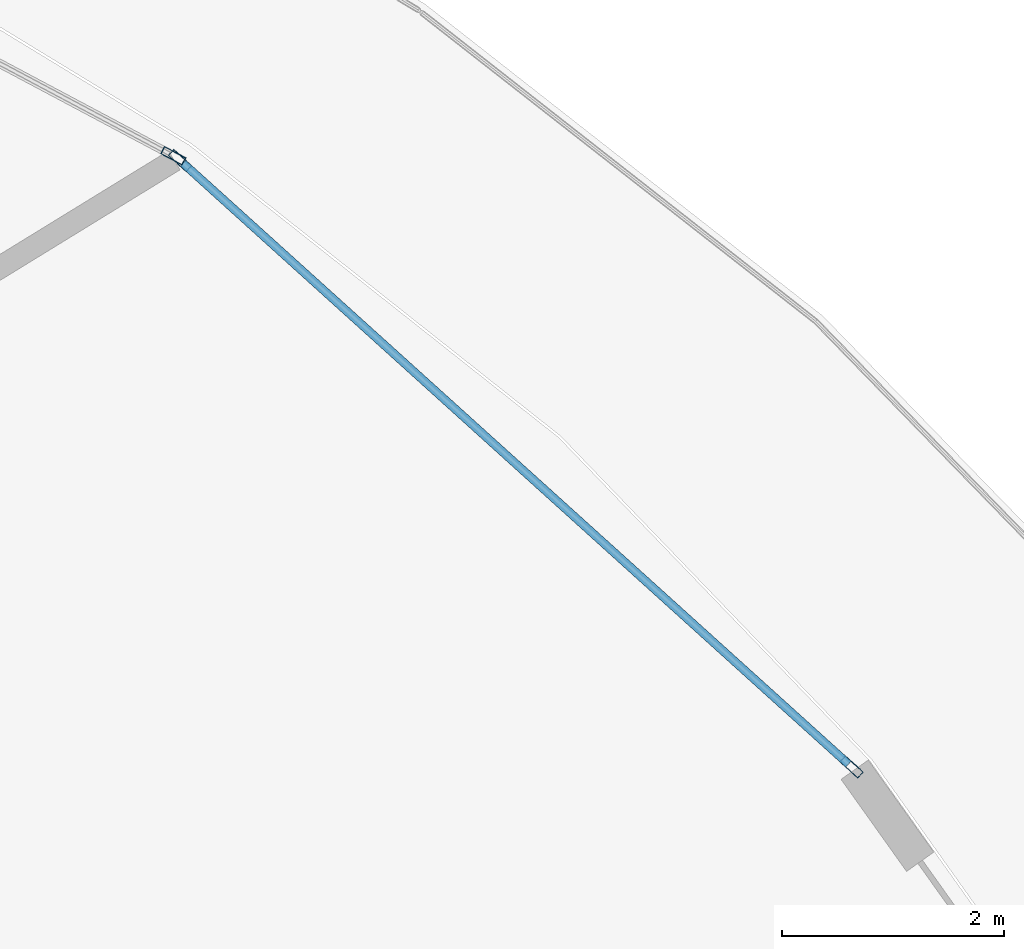
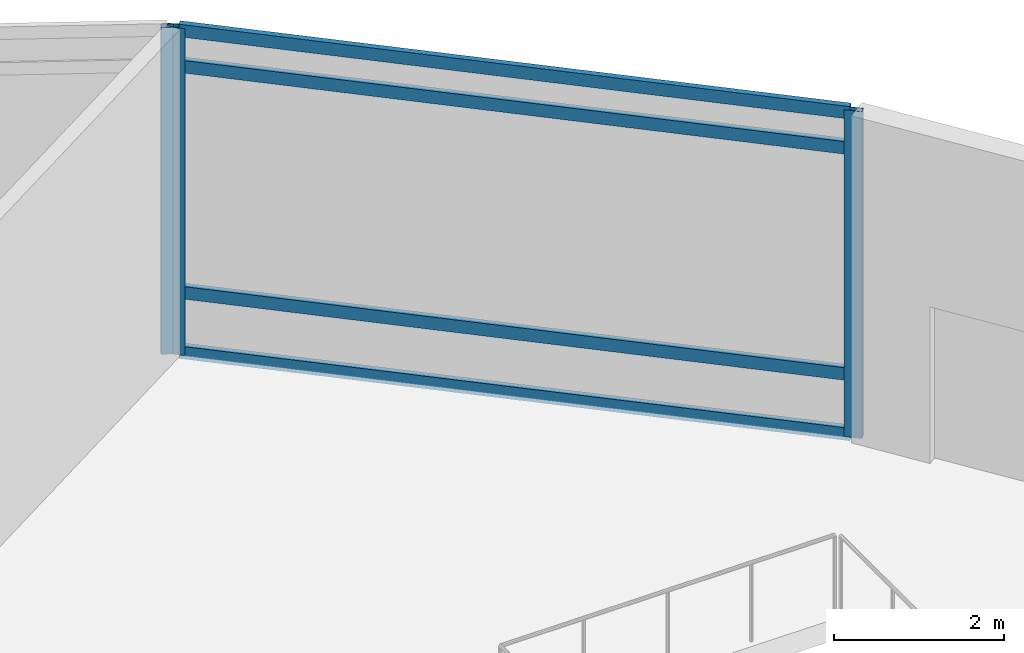
# One storey, part 23 of 37: 7 members, 2 elements without a shape of their own.
"""IFC4 building model written with IfcOpenShell, lengths in metres."""

from ifc_helpers import new_model, si_unit, direction, frame, origin, origin_2d, place, context, subcontext, project, spatial, hollow_rectangle, extrude, material, layer, layer_set, material_profile, profile_set, type_object, element, aggregate, save


model = new_model("IFC4")

# Units and contexts
model_context = context("Model", 3, precision=1e-05, world=origin(), true_north=direction((0.0, 1.0)))
body_context = subcontext(model_context, "Body", "Model", "MODEL_VIEW")
ifc_project = project(units=[si_unit("LENGTHUNIT", "METRE"), si_unit("AREAUNIT", "SQUARE_METRE"), si_unit("VOLUMEUNIT", "CUBIC_METRE"), si_unit("PLANEANGLEUNIT", "RADIAN"), si_unit("MASSUNIT", "GRAM", prefix="KILO")], contexts=[model_context])

# Site, building, storey
site_placement = place(None, origin())
site = spatial("IfcSite", under=ifc_project, at=site_placement, CompositionType="ELEMENT")
building_placement = place(site_placement, origin())
building = spatial("IfcBuilding", under=site, at=building_placement, Name="Nuhasar Tower", CompositionType="ELEMENT")
storey_placement = place(building_placement, frame((0.0, 0.0, 6.0)))
storey = spatial("IfcBuildingStorey", under=building, at=storey_placement, Name="L01", CompositionType="ELEMENT", Elevation=6.0)

# Curtain wall, members
ifc_material = material(Name="Aluminium 6063-T6", Category="aluminium")
ifc_layer = layer(ifc_material, 0.219970703125)
ifc_layer_set = layer_set([ifc_layer], Name="Aluminium 6063-T6")
curtain_wall_type = type_object("IfcCurtainWallType", Name="CW-PODIUM", PredefinedType="NOTDEFINED", material=ifc_layer_set)
curtain_wall_1_placement = place(storey_placement, origin())
curtain_wall_1 = element("IfcCurtainWall", 1, at=curtain_wall_1_placement, inside=storey, type_object=curtain_wall_type, Name="L01 Podium Curtain Wall Bay 03", PredefinedType="NOTDEFINED")
ifc_material_profile_1 = material_profile(ifc_material, hollow_rectangle(XDim=0.074951171875, YDim=0.219970703125, WallThickness=0.0048828125, at=origin_2d()), Name="CWM-1")
ifc_profile_set_1 = profile_set([ifc_material_profile_1], Name="Aluminium 6063-T6")
member_type_1 = type_object("IfcMemberType", Name="CW-MUL-S1", PredefinedType="MULLION", material=ifc_profile_set_1)
member_1_placement = place(storey_placement, frame((72.26220703125, 40.14501953125, 0.0), z_axis=(0.0, 0.0, 1.0), x_axis=(-0.67023230157, -0.742151374001, 0.0)))
member_1 = element("IfcMember", 2, at=member_1_placement, type_object=member_type_1, Name="CW-P1 mullion 1", PredefinedType="MULLION", context=body_context, shape_type="SweptSolid", body=[
    extrude(hollow_rectangle(XDim=0.074951171875, YDim=0.219970703125, WallThickness=0.0048828125, at=origin_2d()), origin(), (0.0, 0.0, 1.0), 4.699951171875),
])
member_2_placement = place(storey_placement, frame((66.208740234375, 45.61181640625, 0.0), z_axis=(0.0, 0.0, 1.0), x_axis=(-0.67023230157, -0.742151374001, 0.0)))
member_2 = element("IfcMember", 3, at=member_2_placement, type_object=member_type_1, Name="CW-P1 mullion 2", PredefinedType="MULLION", context=body_context, shape_type="SweptSolid", body=[
    extrude(hollow_rectangle(XDim=0.074951171875, YDim=0.219970703125, WallThickness=0.0048828125, at=origin_2d()), origin(), (0.0, 0.0, 1.0), 4.699951171875),
])

# Curtain wall, member
curtain_wall_2_placement = place(storey_placement, origin())
curtain_wall_2 = element("IfcCurtainWall", 4, at=curtain_wall_2_placement, inside=storey, type_object=curtain_wall_type, Name="L01 Podium Curtain Wall Bay 04", PredefinedType="NOTDEFINED")
member_3_placement = place(storey_placement, frame((66.14794921875, 45.654541015625, 0.0), z_axis=(0.0, 0.0, 1.0), x_axis=(-0.469563312429, -0.882898802593, 0.0)))
member_3 = element("IfcMember", 5, at=member_3_placement, type_object=member_type_1, Name="CW-P1 mullion 1", PredefinedType="MULLION", context=body_context, shape_type="SweptSolid", body=[
    extrude(hollow_rectangle(XDim=0.074951171875, YDim=0.219970703125, WallThickness=0.0048828125, at=origin_2d()), origin(), (0.0, 0.0, 1.0), 4.699951171875),
])
aggregate(curtain_wall_2, [member_3])

# Member
ifc_material_profile_2 = material_profile(ifc_material, hollow_rectangle(XDim=0.074951171875, YDim=0.179931640625, WallThickness=0.00439453125, at=origin_2d()), Name="CWT-1")
ifc_profile_set_2 = profile_set([ifc_material_profile_2], Name="Aluminium 6063-T6")
member_type_2 = type_object("IfcMemberType", Name="CW-TRN-S1", PredefinedType="USERDEFINED", material=ifc_profile_set_2)
member_4_placement = place(storey_placement, frame((72.234375, 40.170166015625, 0.03759765625), z_axis=(-0.74215596141, 0.670227221876, 0.0), x_axis=(-0.670227221876, -0.74215596141, 0.0)))
member_4 = element("IfcMember", 6, at=member_4_placement, type_object=member_type_2, Name="CW-P1 transom 1.1", ObjectType="TRANSOM", PredefinedType="USERDEFINED", context=body_context, shape_type="SweptSolid", body=[
    extrude(hollow_rectangle(XDim=0.074951171875, YDim=0.179931640625, WallThickness=0.00439453125, at=origin_2d()), origin(), (0.0, 0.0, 1.0), 8.08154296875),
])

member_5_placement = place(storey_placement, frame((72.234375, 40.170166015625, 0.89990234375), z_axis=(-0.74215596141, 0.670227221876, 0.0), x_axis=(-0.670227221876, -0.74215596141, 0.0)))
member_5 = element("IfcMember", 7, at=member_5_placement, type_object=member_type_2, Name="CW-P1 transom 1.2", ObjectType="TRANSOM", PredefinedType="USERDEFINED", context=body_context, shape_type="SweptSolid", body=[
    extrude(hollow_rectangle(XDim=0.074951171875, YDim=0.179931640625, WallThickness=0.00439453125, at=origin_2d()), origin(), (0.0, 0.0, 1.0), 8.08154296875),
])

member_6_placement = place(storey_placement, frame((72.234375, 40.170166015625, 4.14990234375), z_axis=(-0.74215596141, 0.670227221876, 0.0), x_axis=(-0.670227221876, -0.74215596141, 0.0)))
member_6 = element("IfcMember", 8, at=member_6_placement, type_object=member_type_2, Name="CW-P1 transom 1.3", ObjectType="TRANSOM", PredefinedType="USERDEFINED", context=body_context, shape_type="SweptSolid", body=[
    extrude(hollow_rectangle(XDim=0.074951171875, YDim=0.179931640625, WallThickness=0.00439453125, at=origin_2d()), origin(), (0.0, 0.0, 1.0), 8.08154296875),
])

member_7_placement = place(storey_placement, frame((72.234375, 40.170166015625, 4.66259765625), z_axis=(-0.74215596141, 0.670227221876, 0.0), x_axis=(-0.670227221876, -0.74215596141, 0.0)))
member_7 = element("IfcMember", 9, at=member_7_placement, type_object=member_type_2, Name="CW-P1 transom 1.4", ObjectType="TRANSOM", PredefinedType="USERDEFINED", context=body_context, shape_type="SweptSolid", body=[
    extrude(hollow_rectangle(XDim=0.074951171875, YDim=0.179931640625, WallThickness=0.00439453125, at=origin_2d()), origin(), (0.0, 0.0, 1.0), 8.08154296875),
])

aggregate(curtain_wall_1, [member_1, member_2, member_4, member_5, member_6, member_7])

save(model, "model.ifc")
